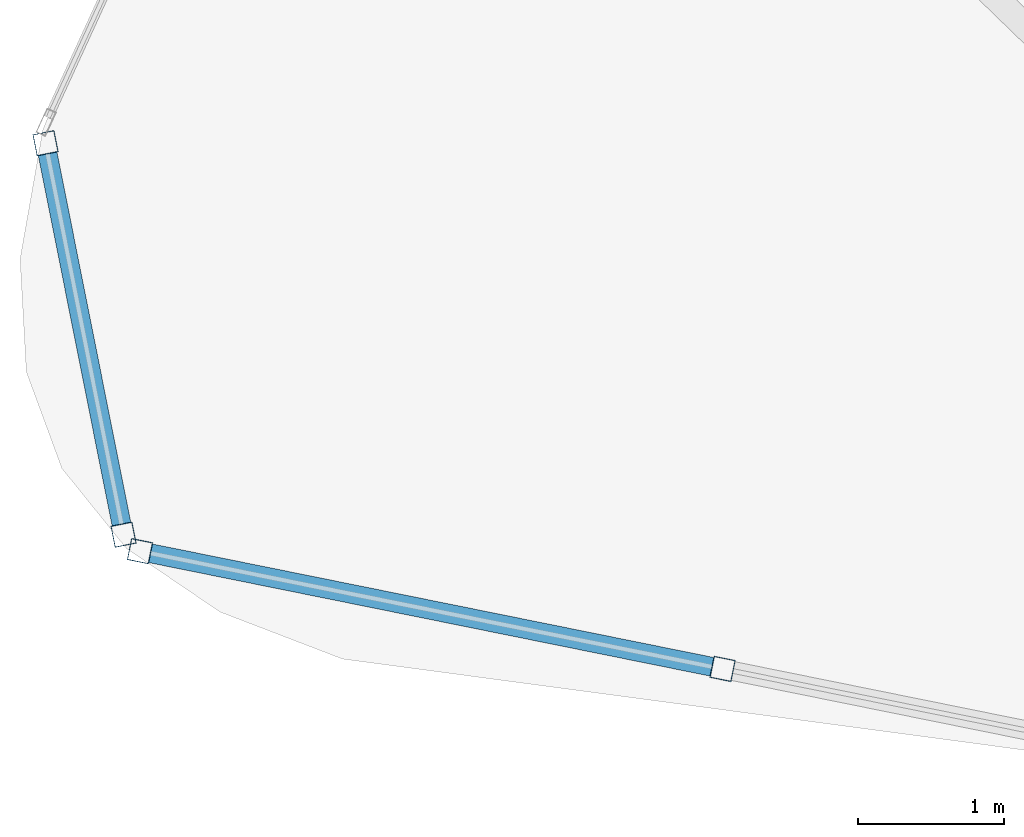
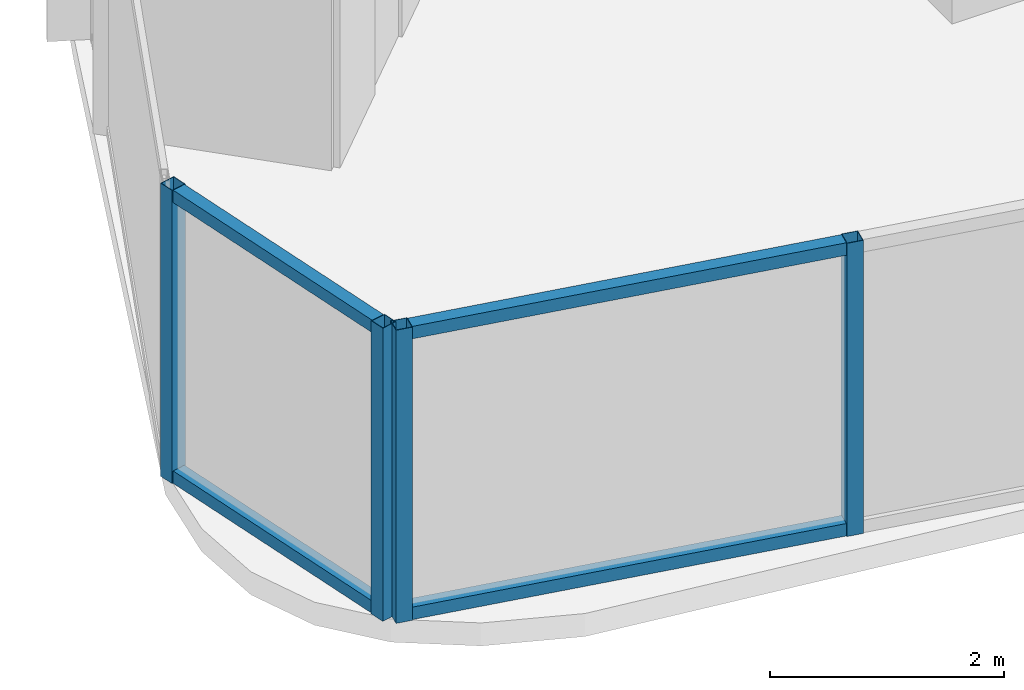
# One storey, part 2 of 35: 8 members, 2 elements without a shape of their own.
"""IFC4 building model written with IfcOpenShell, lengths in metres."""

from ifc_helpers import new_model, si_unit, direction, frame, origin, origin_2d, place, context, subcontext, project, spatial, hollow_rectangle, extrude, material, layer, layer_set, material_profile, profile_set, type_object, element, aggregate, save


model = new_model("IFC4")

# Units and contexts
model_context = context("Model", 3, precision=1e-05, world=origin(), true_north=direction((0.0, 1.0)))
body_context = subcontext(model_context, "Body", "Model", "MODEL_VIEW")
ifc_project = project(units=[si_unit("LENGTHUNIT", "METRE"), si_unit("AREAUNIT", "SQUARE_METRE"), si_unit("VOLUMEUNIT", "CUBIC_METRE"), si_unit("PLANEANGLEUNIT", "RADIAN"), si_unit("MASSUNIT", "GRAM", prefix="KILO")], contexts=[model_context])

# Site, building, storey
site_placement = place(None, origin())
site = spatial("IfcSite", under=ifc_project, at=site_placement, CompositionType="ELEMENT")
building_placement = place(site_placement, origin())
building = spatial("IfcBuilding", under=site, at=building_placement, Name="Orvanel Arch Residences", CompositionType="ELEMENT")
storey_placement = place(building_placement, frame((0.0, 0.0, 33.5)))
storey = spatial("IfcBuildingStorey", under=building, at=storey_placement, Name="L08", CompositionType="ELEMENT", Elevation=33.5)

# Curtain wall, members
ifc_material = material(Name="Bronze-anodised aluminium AA6063-T6", Category="aluminium")
ifc_layer = layer(ifc_material, 0.18994140625)
ifc_layer_set = layer_set([ifc_layer], Name="Bronze-anodised aluminium AA6063-T6")
curtain_wall_type = type_object("IfcCurtainWallType", Name="CW5-CRN-SYS", PredefinedType="NOTDEFINED", material=ifc_layer_set)
curtain_wall_1_placement = place(storey_placement, origin())
curtain_wall_1 = element("IfcCurtainWall", 1, at=curtain_wall_1_placement, inside=storey, type_object=curtain_wall_type, Name="L08 CW5-CRN-SYS Unitised Curtain Wall", PredefinedType="NOTDEFINED")
ifc_material_profile_1 = material_profile(ifc_material, hollow_rectangle(XDim=0.14990234375, YDim=0.14990234375, WallThickness=0.0048828125, at=origin_2d()), Name="ALU150x150x5")
ifc_profile_set_1 = profile_set([ifc_material_profile_1], Name="Bronze-anodised aluminium AA6063-T6")
member_type_1 = type_object("IfcMemberType", Name="MUL-150x150", PredefinedType="MULLION", material=ifc_profile_set_1)
member_1_placement = place(storey_placement, frame((4.257568359375, 7.038330078125, 0.0), z_axis=(0.0, 0.0, 1.0), x_axis=(0.98071396973, 0.195448483179, 0.0)))
member_1 = element("IfcMember", 2, at=member_1_placement, type_object=member_type_1, Name="CW-S5 mullion 1", PredefinedType="MULLION", context=body_context, shape_type="SweptSolid", body=[
    extrude(hollow_rectangle(XDim=0.14990234375, YDim=0.14990234375, WallThickness=0.0048828125, at=origin_2d()), origin(), (0.0, 0.0, 1.0), 3.06005859375),
])
member_2_placement = place(storey_placement, frame((4.791259765625, 4.360595703125, 0.0), z_axis=(0.0, 0.0, 1.0), x_axis=(0.98071396973, 0.195448483179, 0.0)))
member_2 = element("IfcMember", 3, at=member_2_placement, type_object=member_type_1, Name="CW-S5 mullion 2", PredefinedType="MULLION", context=body_context, shape_type="SweptSolid", body=[
    extrude(hollow_rectangle(XDim=0.14990234375, YDim=0.14990234375, WallThickness=0.0048828125, at=origin_2d()), origin(), (0.0, 0.0, 1.0), 3.06005859375),
])

curtain_wall_2_placement = place(storey_placement, origin())
curtain_wall_2 = element("IfcCurtainWall", 4, at=curtain_wall_2_placement, inside=storey, type_object=curtain_wall_type, Name="L08 CW5-CRN-SYS Unitised Curtain Wall", PredefinedType="NOTDEFINED")
member_3_placement = place(storey_placement, frame((4.903564453125, 4.248046875, 0.0), z_axis=(0.0, 0.0, 1.0), x_axis=(0.198159258538, 0.980169836434, 0.0)))
member_3 = element("IfcMember", 5, at=member_3_placement, type_object=member_type_1, Name="CW-S5 mullion 1", PredefinedType="MULLION", context=body_context, shape_type="SweptSolid", body=[
    extrude(hollow_rectangle(XDim=0.14990234375, YDim=0.14990234375, WallThickness=0.0048828125, at=origin_2d()), origin(), (0.0, 0.0, 1.0), 3.06005859375),
])
member_4_placement = place(storey_placement, frame((8.888427734375, 3.4423828125, 0.0), z_axis=(0.0, 0.0, 1.0), x_axis=(0.198159258538, 0.980169836434, 0.0)))
member_4 = element("IfcMember", 6, at=member_4_placement, type_object=member_type_1, Name="CW-S5 mullion 2", PredefinedType="MULLION", context=body_context, shape_type="SweptSolid", body=[
    extrude(hollow_rectangle(XDim=0.14990234375, YDim=0.14990234375, WallThickness=0.0048828125, at=origin_2d()), origin(), (0.0, 0.0, 1.0), 3.06005859375),
])

# Member
ifc_material_profile_2 = material_profile(ifc_material, hollow_rectangle(XDim=0.1298828125, YDim=0.1298828125, WallThickness=0.00439453125, at=origin_2d()), Name="ALU130x130x4.5")
ifc_profile_set_2 = profile_set([ifc_material_profile_2], Name="Bronze-anodised aluminium AA6063-T6")
member_type_2 = type_object("IfcMemberType", Name="TRN-130x130", PredefinedType="USERDEFINED", material=ifc_profile_set_2)
member_5_placement = place(storey_placement, frame((4.272216796875, 6.96484375, 0.06494140625), z_axis=(0.195461109638, -0.980711453293, 0.0), x_axis=(0.980711453293, 0.195461109638, 0.0)))
member_5 = element("IfcMember", 7, at=member_5_placement, type_object=member_type_2, Name="CW-S5 transom 1.1", ObjectType="TRANSOM", PredefinedType="USERDEFINED", context=body_context, shape_type="SweptSolid", body=[
    extrude(hollow_rectangle(XDim=0.1298828125, YDim=0.1298828125, WallThickness=0.00439453125, at=origin_2d()), origin(), (0.0, 0.0, 1.0), 2.58056640625),
])

member_6_placement = place(storey_placement, frame((4.272216796875, 6.96484375, 2.9951171875), z_axis=(0.195461109638, -0.980711453293, 0.0), x_axis=(0.980711453293, 0.195461109638, 0.0)))
member_6 = element("IfcMember", 8, at=member_6_placement, type_object=member_type_2, Name="CW-S5 transom 1.2", ObjectType="TRANSOM", PredefinedType="USERDEFINED", context=body_context, shape_type="SweptSolid", body=[
    extrude(hollow_rectangle(XDim=0.1298828125, YDim=0.1298828125, WallThickness=0.00439453125, at=origin_2d()), origin(), (0.0, 0.0, 1.0), 2.58056640625),
])

aggregate(curtain_wall_1, [member_1, member_2, member_5, member_6])

member_7_placement = place(storey_placement, frame((4.97705078125, 4.233154296875, 0.06494140625), z_axis=(0.980170871869, -0.198154136819, 0.0), x_axis=(0.198154136819, 0.980170871869, 0.0)))
member_7 = element("IfcMember", 9, at=member_7_placement, type_object=member_type_2, Name="CW-S5 transom 1.1", ObjectType="TRANSOM", PredefinedType="USERDEFINED", context=body_context, shape_type="SweptSolid", body=[
    extrude(hollow_rectangle(XDim=0.1298828125, YDim=0.1298828125, WallThickness=0.00439453125, at=origin_2d()), origin(), (0.0, 0.0, 1.0), 3.91552734375),
])

member_8_placement = place(storey_placement, frame((4.97705078125, 4.233154296875, 2.9951171875), z_axis=(0.980170871869, -0.198154136819, 0.0), x_axis=(0.198154136819, 0.980170871869, 0.0)))
member_8 = element("IfcMember", 10, at=member_8_placement, type_object=member_type_2, Name="CW-S5 transom 1.2", ObjectType="TRANSOM", PredefinedType="USERDEFINED", context=body_context, shape_type="SweptSolid", body=[
    extrude(hollow_rectangle(XDim=0.1298828125, YDim=0.1298828125, WallThickness=0.00439453125, at=origin_2d()), origin(), (0.0, 0.0, 1.0), 3.91552734375),
])

aggregate(curtain_wall_2, [member_3, member_4, member_7, member_8])

save(model, "model.ifc")
